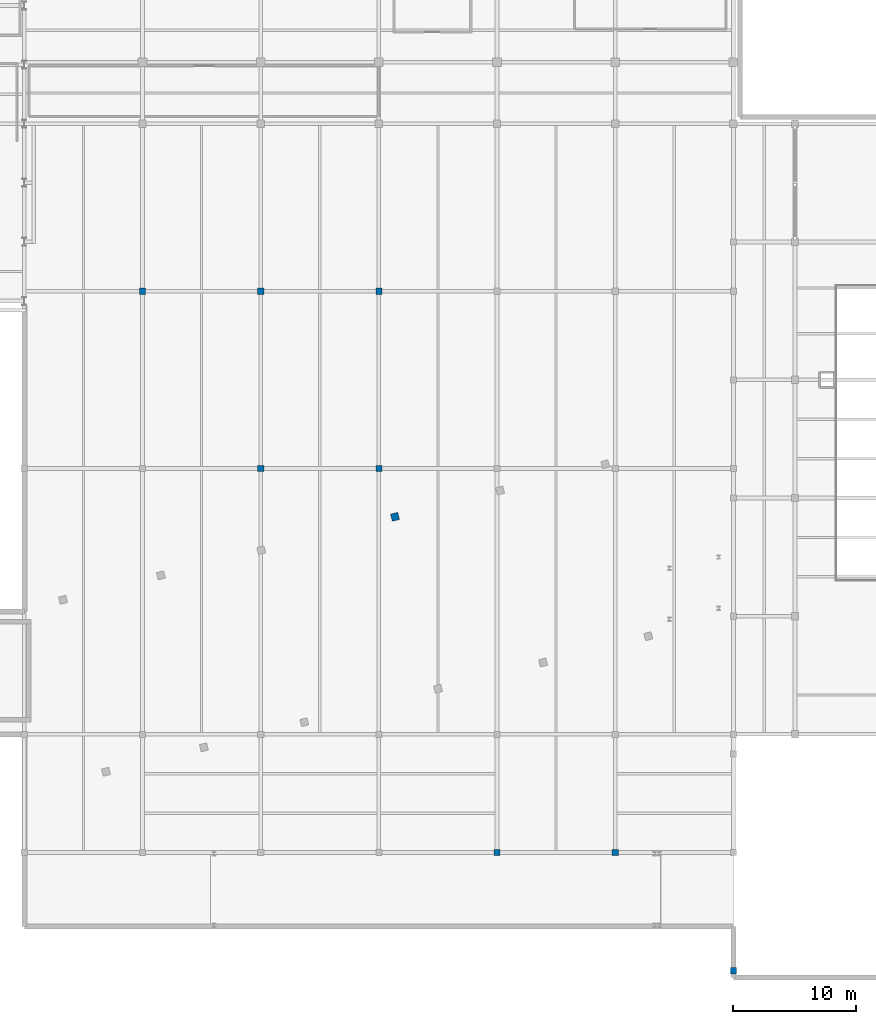
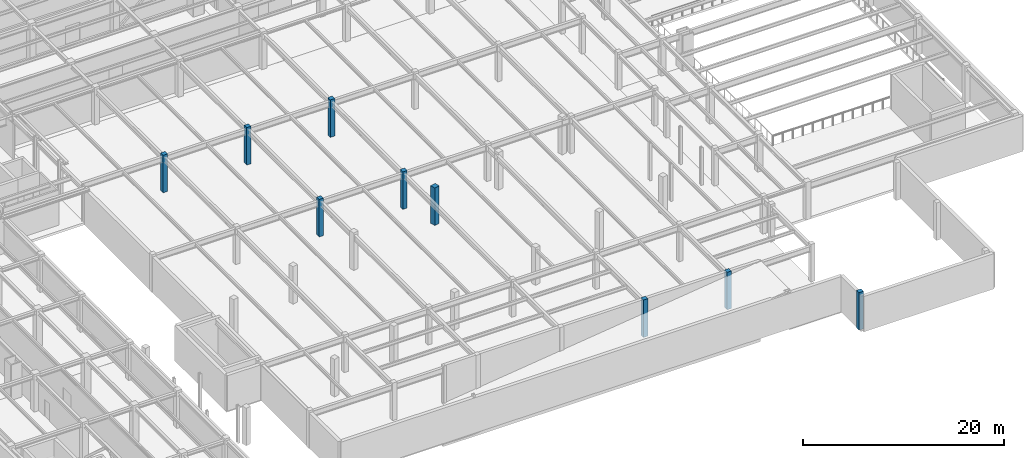
# One storey, part 4 of 32: 9 columns.
"""IFC4 building model written with IfcOpenShell, lengths in metres."""

from ifc_helpers import new_model, si_unit, direction, frame, origin, origin_2d, place, context, subcontext, project, spatial, rectangle, extrude, material, material_profile, profile_set, type_object, element, save


model = new_model("IFC4")

# Units and contexts
model_context = context("Model", 3, precision=1e-05, world=origin(), true_north=direction((0.0, 1.0)))
body_context = subcontext(model_context, "Body", "Model", "MODEL_VIEW")
ifc_project = project(units=[si_unit("LENGTHUNIT", "METRE"), si_unit("AREAUNIT", "SQUARE_METRE"), si_unit("VOLUMEUNIT", "CUBIC_METRE"), si_unit("PLANEANGLEUNIT", "RADIAN"), si_unit("MASSUNIT", "GRAM", prefix="KILO")], contexts=[model_context])

# Site, building, storey
site_placement = place(None, origin())
site = spatial("IfcSite", under=ifc_project, at=site_placement, CompositionType="ELEMENT")
building_placement = place(site_placement, origin())
building = spatial("IfcBuilding", under=site, at=building_placement, Name="Nordkorset Police Headquarters", CompositionType="ELEMENT")
storey_placement = place(building_placement, frame((0.0, 0.0, -4.550048828125)))
storey = spatial("IfcBuildingStorey", under=building, at=storey_placement, Name="B01", CompositionType="ELEMENT", Elevation=-4.550048828125)

# Columns
ifc_material_1 = material(Name="Concrete C45/55", Category="concrete")
ifc_material_profile_1 = material_profile(ifc_material_1, rectangle(XDim=0.5, YDim=0.5, at=origin_2d()), Name="RC 500x500")
ifc_profile_set_1 = profile_set([ifc_material_profile_1], Name="Concrete C45/55")
column_type_1 = type_object("IfcColumnType", Name="Col_RC_500x500", PredefinedType="COLUMN", material=ifc_profile_set_1)
for number, where, z_axis, x_axis, name in (
    (1, (38.39990234375, 84.0, 0.0), (0.0, 0.0, 1.0), (1.0, 0.0, 0.0), "Structural Column SUB_C_1_3 B01"),
    (2, (48.0, 69.60009765625, 0.0), (0.0, 0.0, 1.0), (1.0, 0.0, 0.0), "Structural Column SUB_C_2_2 B01"),
    (3, (48.0, 84.0, 0.0), (0.0, 0.0, 1.0), (1.0, 0.0, 0.0), "Structural Column SUB_C_2_3 B01"),
    (4, (57.60009765625, 69.60009765625, 0.0), (0.0, 0.0, 1.0), (1.0, 0.0, 0.0), "Structural Column SUB_C_3_2 B01"),
    (5, (57.60009765625, 84.0, 0.0), (0.0, 0.0, 1.0), (1.0, 0.0, 0.0), "Structural Column SUB_C_3_3 B01"),
    (6, (67.199951171875, 38.39990234375, 0.0), (0.0, 0.0, 1.0), (1.0, 0.0, 0.0), "Structural Column SUB_C_4_0 B01"),
    (7, (76.800048828125, 38.39990234375, 0.0), (0.0, 0.0, 1.0), (1.0, 0.0, 0.0), "Structural Column SUB_C_5_0 B01"),
    (8, (86.39990234375, 28.800048828125, 0.0), (0.0, 0.0, 1.0), (1.0, 0.0, 0.0), "Structural Column V7_EC_0_288 B01"),
):
    element("IfcColumn", number, at=place(storey_placement, frame(where, z_axis=z_axis, x_axis=x_axis)), inside=storey, type_object=column_type_1, Name=name, PredefinedType="COLUMN", context=body_context, shape_type="SweptSolid", body=[
        extrude(rectangle(XDim=0.5, YDim=0.5, at=origin_2d()), origin(), (0.0, 0.0, 1.0), 4.550048828125),
    ])
ifc_material_2 = material(Name="Concrete C45/55", Category="concrete")
ifc_material_profile_2 = material_profile(ifc_material_2, rectangle(XDim=0.60009765625, YDim=0.60009765625, at=origin_2d()), Name="RC 600x600")
ifc_profile_set_2 = profile_set([ifc_material_profile_2], Name="Concrete C45/55")
column_type_2 = type_object("IfcColumnType", Name="Col_RC_600x600", PredefinedType="COLUMN", material=ifc_profile_set_2)
column_placement = place(storey_placement, frame((58.9130859375, 65.67138671875, 0.0), z_axis=(0.0, 0.0, 1.0), x_axis=(0.970142500145, 0.242535625038, 0.0)))
element("IfcColumn", 9, at=column_placement, inside=storey, type_object=column_type_2, Name="Structural Column V4_U4_V1 B01", PredefinedType="COLUMN", context=body_context, shape_type="SweptSolid", body=[
    extrude(rectangle(XDim=0.60009765625, YDim=0.60009765625, at=origin_2d()), origin(), (0.0, 0.0, 1.0), 4.550048828125),
])

save(model, "model.ifc")
